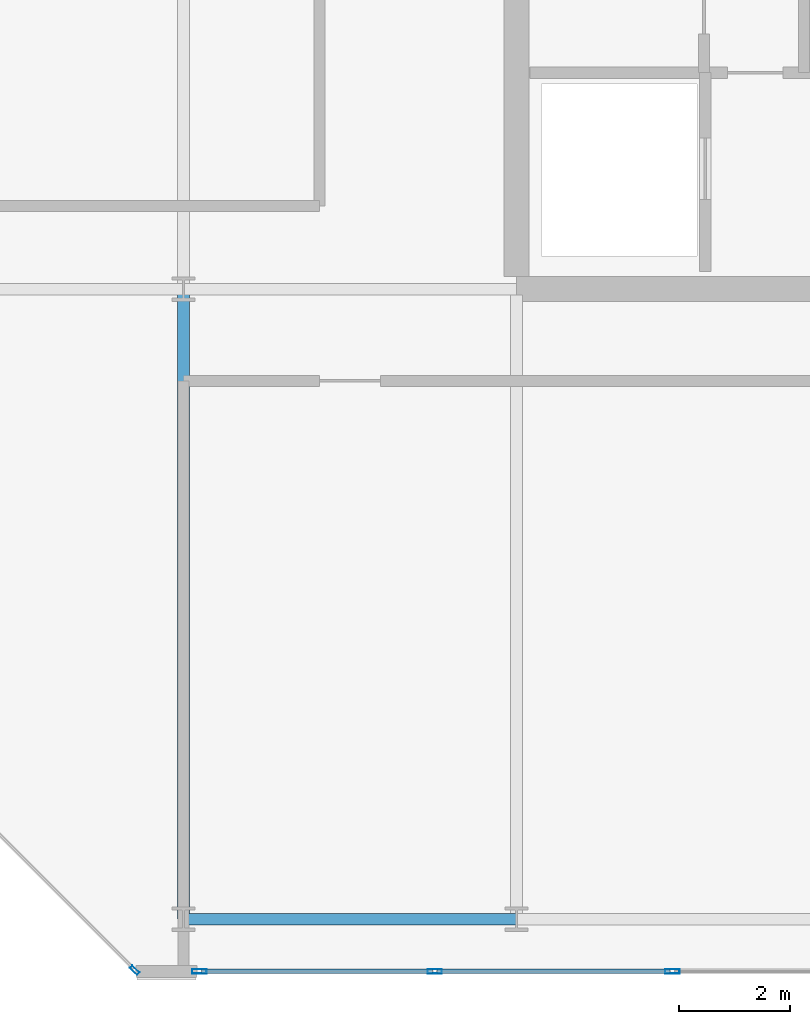
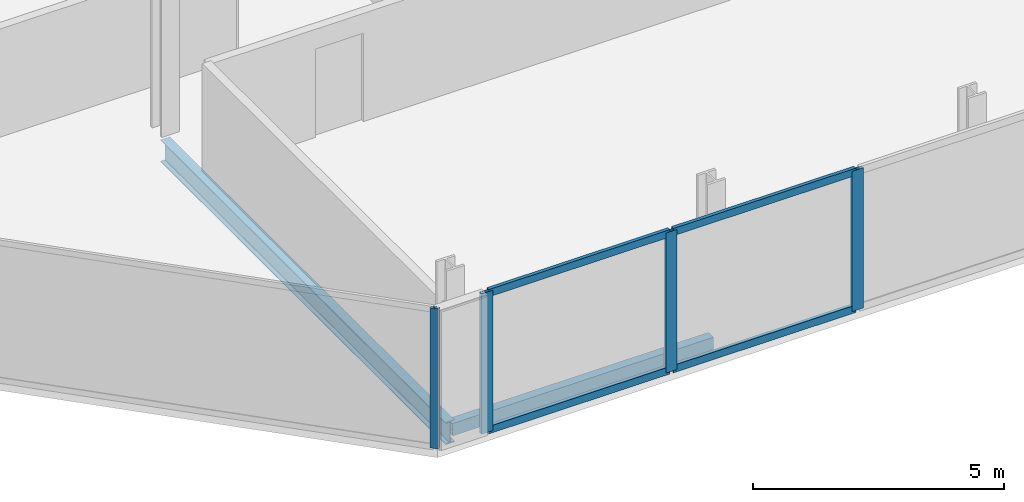
# One storey, part 2 of 16: 8 members, 2 beams, 2 elements without a shape of their own.
"""IFC4 building model written with IfcOpenShell, lengths in metres."""

from ifc_helpers import new_model, si_unit, direction, frame, origin, origin_2d, place, context, subcontext, project, spatial, hollow_rectangle, i_section, extrude, material, layer, layer_set, material_profile, profile_set, type_object, element, aggregate, save


model = new_model("IFC4")

# Units and contexts
model_context = context("Model", 3, precision=1e-05, world=origin(), true_north=direction((0.0, 1.0)))
body_context = subcontext(model_context, "Body", "Model", "MODEL_VIEW")
ifc_project = project(units=[si_unit("LENGTHUNIT", "METRE"), si_unit("AREAUNIT", "SQUARE_METRE"), si_unit("VOLUMEUNIT", "CUBIC_METRE"), si_unit("PLANEANGLEUNIT", "RADIAN"), si_unit("MASSUNIT", "GRAM", prefix="KILO")], contexts=[model_context])

# Site, building, storey
site_placement = place(None, origin())
site = spatial("IfcSite", under=ifc_project, at=site_placement, CompositionType="ELEMENT")
building_placement = place(site_placement, origin())
building = spatial("IfcBuilding", under=site, at=building_placement, Name="Tanjung Sevakor Pilgrim Tower", CompositionType="ELEMENT")
storey_placement = place(building_placement, frame((0.0, 0.0, 271.590087890625)))
storey = spatial("IfcBuildingStorey", under=building, at=storey_placement, Name="L76", CompositionType="ELEMENT", Elevation=271.590087890625)

# Beams
ifc_material_1 = material(Name="Steel S355J2", Category="steel")
ifc_material_profile_1 = material_profile(ifc_material_1, i_section(OverallWidth=0.210693359375, OverallDepth=0.53955078125, WebThickness=0.01171875, FlangeThickness=0.018798828125, FilletRadius=0.0126953125, at=origin_2d()))
ifc_profile_set_1 = profile_set([ifc_material_profile_1], Name="Steel S355J2")
beam_type_1 = type_object("IfcBeamType", Name="BM-B-G6-UB_533x210x109", PredefinedType="BEAM", material=ifc_profile_set_1)
beam_1_placement = place(storey_placement, frame((72.0, 13.25, -0.48974609375), z_axis=(0.0, 1.0, 0.0), x_axis=(-1.0, 0.0, 0.0)))
element("IfcBeam", 1, at=beam_1_placement, inside=storey, type_object=beam_type_1, Name="L76 EAST Girder 002", PredefinedType="BEAM", context=body_context, shape_type="SweptSolid", body=[
    extrude(i_section(OverallWidth=0.210693359375, OverallDepth=0.53955078125, WebThickness=0.01171875, FlangeThickness=0.018798828125, FilletRadius=0.0126953125, at=origin_2d()), origin(), (0.0, 0.0, 1.0), 11.35009765625),
])
ifc_material_2 = material(Name="Steel S355J2", Category="steel")
ifc_material_profile_2 = material_profile(ifc_material_2, hollow_rectangle(XDim=0.199951171875, YDim=0.300048828125, WallThickness=0.012451171875, at=origin_2d()))
ifc_profile_set_2 = profile_set([ifc_material_profile_2], Name="Steel S355J2")
beam_type_2 = type_object("IfcBeamType", Name="BM-B-SP3-RHS_300x200x12.5", PredefinedType="SPANDREL", material=ifc_profile_set_2)
beam_2_placement = place(storey_placement, frame((72.0, 13.25, -0.3701171875), z_axis=(1.0, 0.0, 0.0), x_axis=(0.0, 1.0, 0.0)))
element("IfcBeam", 2, at=beam_2_placement, inside=storey, type_object=beam_type_2, Name="L76 Spandrel EAST S-01", PredefinedType="SPANDREL", context=body_context, shape_type="SweptSolid", body=[
    extrude(hollow_rectangle(XDim=0.199951171875, YDim=0.300048828125, WallThickness=0.012451171875, at=origin_2d()), origin(), (0.0, 0.0, 1.0), 6.0),
])

# Curtain wall, member
ifc_material_3 = material(Name="Aluminium 6063-T6 and Low-E Glass", Category="aluminium")
ifc_layer_1 = layer(ifc_material_3, 0.179931640625)
ifc_layer_set_1 = layer_set([ifc_layer_1], Name="CW-SYS-CHAM")
curtain_wall_type_1 = type_object("IfcCurtainWallType", Name="CW-SYS-CHAM", PredefinedType="NOTDEFINED", material=ifc_layer_set_1)
curtain_wall_1_placement = place(storey_placement, origin())
curtain_wall_1 = element("IfcCurtainWall", 3, at=curtain_wall_1_placement, inside=storey, type_object=curtain_wall_type_1, Name="L76 Curtain Wall CW-CHM-L76-EAST-7", PredefinedType="NOTDEFINED")
ifc_material_4 = material(Name="Aluminium 6063-T6", Category="aluminium")
ifc_material_profile_3 = material_profile(ifc_material_4, hollow_rectangle(XDim=0.06494140625, YDim=0.179931640625, WallThickness=0.00390625, at=origin_2d()))
ifc_profile_set_3 = profile_set([ifc_material_profile_3], Name="Aluminium 6063-T6")
member_type_1 = type_object("IfcMemberType", Name="TYPE-CWM-1", PredefinedType="MULLION", material=ifc_profile_set_3)
member_1_placement = place(storey_placement, frame((71.12255859375, 12.3330078125, 0.0), z_axis=(0.0, 0.0, 1.0), x_axis=(0.707106781187, 0.707106781187, 0.0)))
member_1 = element("IfcMember", 4, at=member_1_placement, type_object=member_type_1, Name="CW-CHM mullion 2", PredefinedType="MULLION", context=body_context, shape_type="SweptSolid", body=[
    extrude(hollow_rectangle(XDim=0.06494140625, YDim=0.179931640625, WallThickness=0.00390625, at=origin_2d()), origin(), (0.0, 0.0, 1.0), 3.409912109375),
])
aggregate(curtain_wall_1, [member_1])

# Curtain wall, members
ifc_material_5 = material(Name="Aluminium 6063-T6 and Low-E Glass", Category="aluminium")
ifc_layer_2 = layer(ifc_material_5, 0.219970703125)
ifc_layer_set_2 = layer_set([ifc_layer_2], Name="CW-SYS-CRNE")
curtain_wall_type_2 = type_object("IfcCurtainWallType", Name="CW-SYS-CRNE", PredefinedType="NOTDEFINED", material=ifc_layer_set_2)
curtain_wall_2_placement = place(storey_placement, origin())
curtain_wall_2 = element("IfcCurtainWall", 5, at=curtain_wall_2_placement, inside=storey, type_object=curtain_wall_type_2, Name="L76 Curtain Wall CW-CRN-L76-EAST-0-1", PredefinedType="NOTDEFINED")
ifc_material_6 = material(Name="Aluminium 6063-T6", Category="aluminium")
ifc_material_profile_4 = material_profile(ifc_material_6, hollow_rectangle(XDim=0.080078125, YDim=0.260009765625, WallThickness=0.0048828125, at=origin_2d()))
ifc_profile_set_4 = profile_set([ifc_material_profile_4], Name="Aluminium 6063-T6")
member_type_2 = type_object("IfcMemberType", Name="TYPE-CWM-3", PredefinedType="MULLION", material=ifc_profile_set_4)
member_2_placement = place(storey_placement, frame((72.28564453125, 12.31005859375, 0.0), z_axis=(0.0, 0.0, 1.0), x_axis=(0.0, 1.0, 0.0)))
member_2 = element("IfcMember", 6, at=member_2_placement, type_object=member_type_2, Name="CW-CRE mullion 1", PredefinedType="MULLION", context=body_context, shape_type="SweptSolid", body=[
    extrude(hollow_rectangle(XDim=0.080078125, YDim=0.260009765625, WallThickness=0.0048828125, at=origin_2d()), origin(), (0.0, 0.0, 1.0), 3.409912109375),
])
member_3_placement = place(storey_placement, frame((76.52734375, 12.31005859375, 0.0), z_axis=(0.0, 0.0, 1.0), x_axis=(0.0, 1.0, 0.0)))
member_3 = element("IfcMember", 7, at=member_3_placement, type_object=member_type_2, Name="CW-CRE mullion 2", PredefinedType="MULLION", context=body_context, shape_type="SweptSolid", body=[
    extrude(hollow_rectangle(XDim=0.080078125, YDim=0.260009765625, WallThickness=0.0048828125, at=origin_2d()), origin(), (0.0, 0.0, 1.0), 3.409912109375),
])
member_4_placement = place(storey_placement, frame((80.80908203125, 12.31005859375, 0.0), z_axis=(0.0, 0.0, 1.0), x_axis=(0.0, 1.0, 0.0)))
member_4 = element("IfcMember", 8, at=member_4_placement, type_object=member_type_2, Name="CW-CRE mullion 3", PredefinedType="MULLION", context=body_context, shape_type="SweptSolid", body=[
    extrude(hollow_rectangle(XDim=0.080078125, YDim=0.260009765625, WallThickness=0.0048828125, at=origin_2d()), origin(), (0.0, 0.0, 1.0), 3.409912109375),
])
ifc_material_7 = material(Name="Aluminium 6063-T6", Category="aluminium")
ifc_material_profile_5 = material_profile(ifc_material_7, hollow_rectangle(XDim=0.080078125, YDim=0.179931640625, WallThickness=0.0048828125, at=origin_2d()))
ifc_profile_set_5 = profile_set([ifc_material_profile_5], Name="Aluminium 6063-T6")
member_type_3 = type_object("IfcMemberType", Name="TYPE-CWT-3", PredefinedType="USERDEFINED", material=ifc_profile_set_5)
member_5_placement = place(storey_placement, frame((72.32568359375, 12.31005859375, 0.039794921875), z_axis=(1.0, 0.0, 0.0), x_axis=(0.0, 1.0, 0.0)))
member_5 = element("IfcMember", 9, at=member_5_placement, type_object=member_type_3, Name="CW-CRE transom 1.1", ObjectType="TRANSOM", PredefinedType="USERDEFINED", context=body_context, shape_type="SweptSolid", body=[
    extrude(hollow_rectangle(XDim=0.080078125, YDim=0.179931640625, WallThickness=0.0048828125, at=origin_2d()), origin(), (0.0, 0.0, 1.0), 4.16162109375),
])
member_6_placement = place(storey_placement, frame((72.32568359375, 12.31005859375, 3.369873046875), z_axis=(1.0, 0.0, 0.0), x_axis=(0.0, 1.0, 0.0)))
member_6 = element("IfcMember", 10, at=member_6_placement, type_object=member_type_3, Name="CW-CRE transom 1.2", ObjectType="TRANSOM", PredefinedType="USERDEFINED", context=body_context, shape_type="SweptSolid", body=[
    extrude(hollow_rectangle(XDim=0.080078125, YDim=0.179931640625, WallThickness=0.0048828125, at=origin_2d()), origin(), (0.0, 0.0, 1.0), 4.16162109375),
])
member_7_placement = place(storey_placement, frame((76.5673828125, 12.31005859375, 0.039794921875), z_axis=(1.0, 0.0, 0.0), x_axis=(0.0, 1.0, 0.0)))
member_7 = element("IfcMember", 11, at=member_7_placement, type_object=member_type_3, Name="CW-CRE transom 2.1", ObjectType="TRANSOM", PredefinedType="USERDEFINED", context=body_context, shape_type="SweptSolid", body=[
    extrude(hollow_rectangle(XDim=0.080078125, YDim=0.179931640625, WallThickness=0.0048828125, at=origin_2d()), origin(), (0.0, 0.0, 1.0), 4.20166015625),
])
member_8_placement = place(storey_placement, frame((76.5673828125, 12.31005859375, 3.369873046875), z_axis=(1.0, 0.0, 0.0), x_axis=(0.0, 1.0, 0.0)))
member_8 = element("IfcMember", 12, at=member_8_placement, type_object=member_type_3, Name="CW-CRE transom 2.2", ObjectType="TRANSOM", PredefinedType="USERDEFINED", context=body_context, shape_type="SweptSolid", body=[
    extrude(hollow_rectangle(XDim=0.080078125, YDim=0.179931640625, WallThickness=0.0048828125, at=origin_2d()), origin(), (0.0, 0.0, 1.0), 4.20166015625),
])
aggregate(curtain_wall_2, [member_2, member_3, member_4, member_5, member_6, member_7, member_8])

save(model, "model.ifc")
